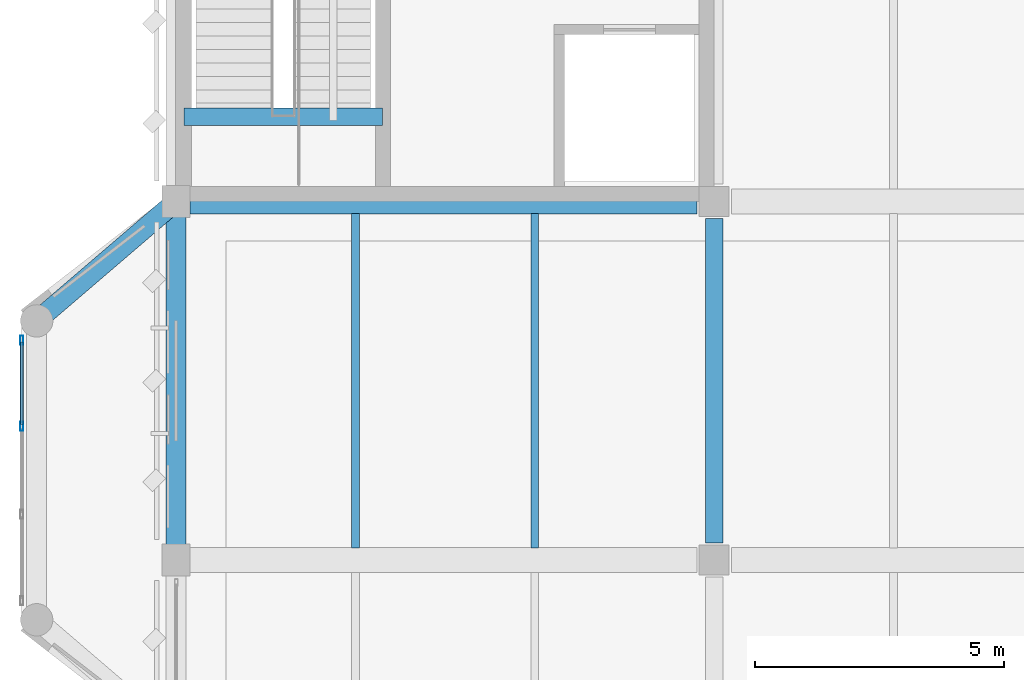
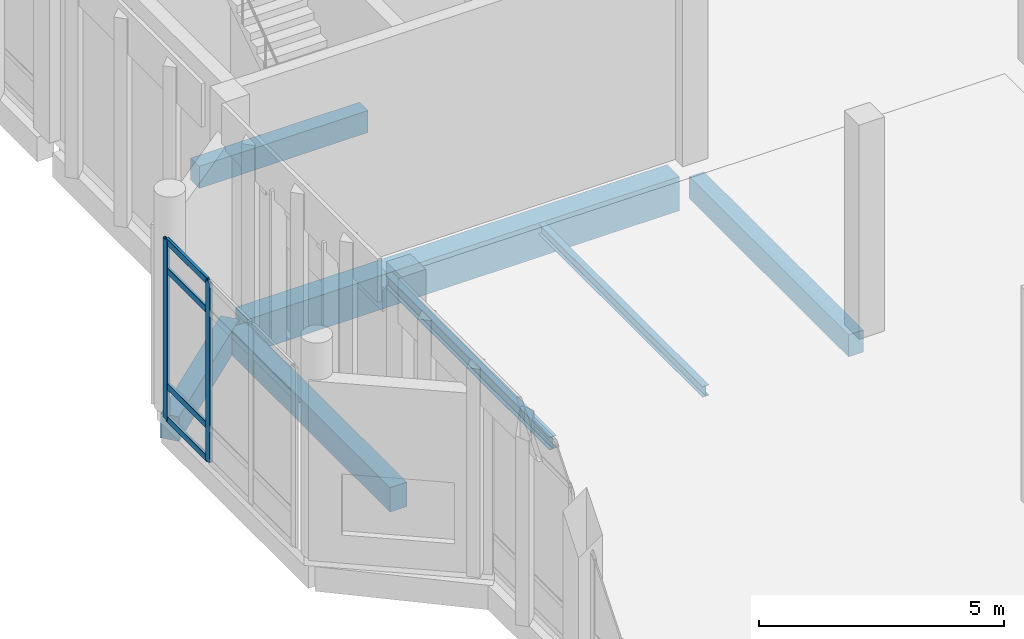
# One storey, part 52 of 180: 7 beams, 6 members, 1 element without a shape of its own.
"""IFC4 building model written with IfcOpenShell, lengths in metres."""

import ifcopenshell
import ifcopenshell.guid

model = None  # the IFC model being written
_history = None  # IfcOwnerHistory: only IFC2X3 demands one
_inside = {}  # id of a spatial element -> (the spatial element, [elements in it])
_under = {}  # id of a project, library or spatial element -> (it, [spatial elements below it])
_declared = {}  # id of a project -> (the project, [libraries it declares])
_typed = {}  # id of a type object -> (the type object, [elements of that type])
_made_of = {}  # id of a material, layer set ... -> (it, [elements and type objects made of it])


def new_model(schema):
    """Start an empty IFC model of exactly this schema.

    Asked for "IFC4X3", IfcOpenShell would pick the latest addendum, in which some entities
    have other attributes; the version numbers below select the first issue.
    IFC2X3 requires an IfcOwnerHistory on every rooted entity: one is made here for all.
    """
    global model, _history
    if schema == "IFC4X3":
        model = ifcopenshell.file(schema_version=(4, 3, 0, 0))
    else:
        model = ifcopenshell.file(schema=schema)
    _inside.clear()
    _under.clear()
    _declared.clear()
    _typed.clear()
    _made_of.clear()
    _history = None
    if model.schema == "IFC2X3":
        org = make("IfcOrganization", Name="unknown")
        user = make(
            "IfcPersonAndOrganization",
            ThePerson=make("IfcPerson", FamilyName="unknown"),
            TheOrganization=org,
        )
        app = make(
            "IfcApplication",
            ApplicationDeveloper=org,
            Version="unknown",
            ApplicationFullName="unknown",
            ApplicationIdentifier="unknown",
        )
        _history = make(
            "IfcOwnerHistory",
            OwningUser=user,
            OwningApplication=app,
            ChangeAction="ADDED",
            CreationDate=0,
        )
    return model


def make(cls, **values):
    """One entity of the class cls with the attributes given. An attribute that is None is left unset."""
    return model.create_entity(
        cls, **{name: value for name, value in values.items() if value is not None}
    )


def rooted(cls, **values):
    """An entity with a GlobalId (a new one), such as an element, a storey or a relation."""
    return make(cls, GlobalId=ifcopenshell.guid.new(), OwnerHistory=_history, **values)


def si_unit(unit_type, name, prefix=None):
    """IfcSIUnit, for example si_unit("LENGTHUNIT", "METRE", prefix="MILLI")."""
    return make("IfcSIUnit", UnitType=unit_type, Prefix=prefix, Name=name)


def assignment(units):
    """IfcUnitAssignment: the units of a project."""
    return None if units is None else make("IfcUnitAssignment", Units=units)


def point(xyz):
    """IfcCartesianPoint."""
    return None if xyz is None else make("IfcCartesianPoint", Coordinates=xyz)


def direction(xyz):
    """IfcDirection."""
    return None if xyz is None else make("IfcDirection", DirectionRatios=xyz)


def frame(location, z_axis=None, x_axis=None):
    """IfcAxis2Placement3D, a coordinate frame: its origin and axes. An axis left out is left unset."""
    return make(
        "IfcAxis2Placement3D",
        Location=point(location),
        Axis=direction(z_axis),
        RefDirection=direction(x_axis),
    )


def frame_2d(location, x_axis=None):
    """IfcAxis2Placement2D, a coordinate frame in the plane: its origin and x axis."""
    return make(
        "IfcAxis2Placement2D", Location=point(location), RefDirection=direction(x_axis)
    )


def origin():
    """The frame at (0, 0, 0) with its axes left unset."""
    return frame((0.0, 0.0, 0.0))


def origin_2d():
    """The frame at (0, 0) in the plane with its x axis left unset."""
    return frame_2d((0.0, 0.0))


def place(relative_to, where):
    """IfcLocalPlacement: puts the frame where relative to a parent placement (None: the world)."""
    return make(
        "IfcLocalPlacement", PlacementRelTo=relative_to, RelativePlacement=where
    )


def context(
    kind, dimensions, precision=None, world=None, true_north=None, identifier=None
):
    """IfcGeometricRepresentationContext, for example the 3D "Model" context."""
    return make(
        "IfcGeometricRepresentationContext",
        ContextIdentifier=identifier,
        ContextType=kind,
        CoordinateSpaceDimension=dimensions,
        Precision=precision,
        WorldCoordinateSystem=world,
        TrueNorth=true_north,
    )


def subcontext(parent, identifier, kind, view, scale=None):
    """IfcGeometricRepresentationSubContext, for example "Body" below "Model"."""
    return make(
        "IfcGeometricRepresentationSubContext",
        ContextIdentifier=identifier,
        ContextType=kind,
        ParentContext=parent,
        TargetScale=scale,
        TargetView=view,
    )


def project(units=None, contexts=None):
    """IfcProject with its units and contexts."""
    return rooted(
        "IfcProject",
        Name="project",
        RepresentationContexts=contexts,
        UnitsInContext=assignment(units),
    )


def spatial(cls, under=None, at=None, **own):
    """A site, building, storey or space (cls), placed at a placement, below another one or the project."""
    s = rooted(cls, ObjectPlacement=at, **own)
    if under is not None:
        _under.setdefault(under.id(), (under, []))[1].append(s)
    return s


def profile(cls, at=None, kind="AREA", **sizes):
    """A parametric profile (cls). Its sizes go by their IFC names, for example OverallWidth=200.0."""
    return make(cls, ProfileType=kind, Position=at, **sizes)


def rectangle(**sizes):
    """IfcRectangleProfileDef."""
    return profile("IfcRectangleProfileDef", **sizes)


def hollow_rectangle(**sizes):
    """IfcRectangleHollowProfileDef."""
    return profile("IfcRectangleHollowProfileDef", **sizes)


def i_section(**sizes):
    """IfcIShapeProfileDef."""
    return profile("IfcIShapeProfileDef", **sizes)


def extrude(swept, where, along, depth):
    """IfcExtrudedAreaSolid: the profile swept, set in the frame where, extruded along a direction by depth."""
    return make(
        "IfcExtrudedAreaSolid",
        SweptArea=swept,
        Position=where,
        ExtrudedDirection=direction(along),
        Depth=depth,
    )


def shape(context_of_items, identifier, shape_type, items):
    """IfcShapeRepresentation: the items that make up one representation, for example the "Body"."""
    return make(
        "IfcShapeRepresentation",
        ContextOfItems=context_of_items,
        RepresentationIdentifier=identifier,
        RepresentationType=shape_type,
        Items=items,
    )


def material(Name=None, Category=None):
    """IfcMaterial."""
    return make("IfcMaterial", Name=Name, Category=Category)


def material_profile(
    of_material, cross_section, Name=None, Category=None, Priority=None
):
    """IfcMaterialProfile: a cross section and its material."""
    return make(
        "IfcMaterialProfile",
        Name=Name,
        Material=of_material,
        Profile=cross_section,
        Priority=Priority,
        Category=Category,
    )


def profile_set(profiles, Name=None, composite=None):
    """IfcMaterialProfileSet."""
    return make(
        "IfcMaterialProfileSet",
        Name=Name,
        MaterialProfiles=profiles,
        CompositeProfile=composite,
    )


def made_of(thing, what):
    """Note that an element or type object is made of a material, layer set ...; save() writes the relation."""
    if what is not None:
        _made_of.setdefault(what.id(), (what, []))[1].append(thing)
    return thing


def type_object(cls, material=None, **own):
    """A type object (cls), such as IfcWallType, which elements share."""
    return made_of(rooted(cls, **own), material)


def element(
    cls,
    number,
    at=None,
    inside=None,
    cuts=None,
    type_object=None,
    material=None,
    context=None,
    identifier="Body",
    shape_type=None,
    held_by="IfcProductDefinitionShape",
    body=None,
    shapes=None,
    **own,
):
    """One element of the class cls, such as IfcWall. Its Tag is "e" and its number.

    at: its placement. inside: the storey or other place that contains it. cuts: it is an
    opening in that element (IfcRelVoidsElement). A single representation is given by context,
    identifier, shape_type and body (its items); several are given by shapes. held_by: the class
    of the entity that holds the representations. save() writes the other relations.
    """
    e = rooted(cls, Tag="e%d" % number, ObjectPlacement=at, **own)
    if body is not None:
        shapes = [shape(context, identifier, shape_type, body)]
    if shapes is not None:
        e.Representation = make(held_by, Representations=shapes)
    if inside is not None:
        _inside.setdefault(inside.id(), (inside, []))[1].append(e)
    if cuts is not None:
        rooted(
            "IfcRelVoidsElement", RelatingBuildingElement=cuts, RelatedOpeningElement=e
        )
    if type_object is not None:
        _typed.setdefault(type_object.id(), (type_object, []))[1].append(e)
    return made_of(e, material)


def aggregate(whole, parts):
    """IfcRelAggregates: a whole, such as a stair, and the parts it consists of."""
    return rooted("IfcRelAggregates", RelatingObject=whole, RelatedObjects=parts)


def save(model, path):
    """Write the relations noted so far, then the file.

    IfcRelAggregates (storeys below a building ...), IfcRelContainedInSpatialStructure (elements
    in a storey), IfcRelDefinesByType, IfcRelAssociatesMaterial and IfcRelDeclares: one each for
    every whole, place, type object, material and project.
    """
    for whole, parts in _under.values():
        aggregate(whole, parts)
    for where, things in _inside.values():
        rooted(
            "IfcRelContainedInSpatialStructure",
            RelatedElements=things,
            RelatingStructure=where,
        )
    for kind, things in _typed.values():
        rooted("IfcRelDefinesByType", RelatedObjects=things, RelatingType=kind)
    for what, things in _made_of.values():
        rooted("IfcRelAssociatesMaterial", RelatedObjects=things, RelatingMaterial=what)
    for by, libraries in _declared.values():
        rooted("IfcRelDeclares", RelatingContext=by, RelatedDefinitions=libraries)
    model.write(path)


model = new_model("IFC4")

# Units and contexts
model_context = context("Model", 3, precision=1e-05, world=origin(), true_north=direction((0.0, 1.0)))
body_context = subcontext(model_context, "Body", "Model", "MODEL_VIEW")
ifc_project = project(units=[si_unit("LENGTHUNIT", "METRE"), si_unit("AREAUNIT", "SQUARE_METRE"), si_unit("VOLUMEUNIT", "CUBIC_METRE"), si_unit("PLANEANGLEUNIT", "RADIAN"), si_unit("MASSUNIT", "GRAM", prefix="KILO")], contexts=[model_context])

# Site, building, storey
site_placement = place(None, origin())
site = spatial("IfcSite", under=ifc_project, at=site_placement, CompositionType="ELEMENT")
building_placement = place(site_placement, origin())
building = spatial("IfcBuilding", under=site, at=building_placement, Name="Lusvemor Sports Hall", CompositionType="ELEMENT")
storey_placement = place(building_placement, frame((0.0, 0.0, 5.39990234375)))
storey = spatial("IfcBuildingStorey", under=building, at=storey_placement, Name="L01", CompositionType="ELEMENT", Elevation=5.39990234375)

# Beams
ifc_material_1 = material(Name="Concrete C40/50", Category="concrete")
ifc_material_profile_1 = material_profile(ifc_material_1, rectangle(XDim=0.35009765625, YDim=0.550048828125, at=origin_2d()), Name="RC350x550")
ifc_profile_set_1 = profile_set([ifc_material_profile_1], Name="Concrete C40/50")
beam_type_1 = type_object("IfcBeamType", Name="BEAM_RC_550", PredefinedType="BEAM", material=ifc_profile_set_1)
beam_1_placement = place(storey_placement, frame((10.800048828125, 61.5458984375, -0.534912109375), z_axis=(0.0, 1.0, 0.0), x_axis=(-1.0, 0.0, 0.0)))
element("IfcBeam", 1, at=beam_1_placement, inside=storey, type_object=beam_type_1, Name="Beam L01 2:H-J", PredefinedType="BEAM", context=body_context, shape_type="SweptSolid", body=[
    extrude(rectangle(XDim=0.35009765625, YDim=0.550048828125, at=origin_2d()), origin(), (0.0, 0.0, 1.0), 6.508056640625),
])
beam_2_placement = place(storey_placement, frame((0.159912109375, 70.10009765625, 2.2451171875), z_axis=(1.0, 0.0, 0.0), x_axis=(0.0, 1.0, 0.0)))
element("IfcBeam", 2, at=beam_2_placement, inside=storey, type_object=beam_type_1, Name="Stair STR-C3-L01 Mid-Landing Beam", PredefinedType="BEAM", context=body_context, shape_type="SweptSolid", body=[
    extrude(rectangle(XDim=0.35009765625, YDim=0.550048828125, at=origin_2d()), origin(), (0.0, 0.0, 1.0), 3.97998046875),
])

# Curtain wall, members
ifc_material_2 = material(Name="Thermally broken bronze-anodized aluminium", Category="aluminium")
curtain_wall_type = type_object("IfcCurtainWallType", Name="CW_FOYER_A", PredefinedType="NOTDEFINED", material=ifc_material_2)
curtain_wall_placement = place(storey_placement, origin())
curtain_wall = element("IfcCurtainWall", 3, at=curtain_wall_placement, inside=storey, type_object=curtain_wall_type, Name="Curtain Wall CW-BOW-W1-L01-M", PredefinedType="NOTDEFINED")
ifc_material_3 = material(Name="Thermally broken bronze-anodized aluminium", Category="aluminium")
ifc_material_profile_2 = material_profile(ifc_material_3, hollow_rectangle(XDim=0.070068359375, YDim=0.179931640625, WallThickness=0.0048828125, InnerFilletRadius=0.0048828125, OuterFilletRadius=0.010009765625, at=origin_2d()), Name="CWMUL180x70x5")
ifc_profile_set_2 = profile_set([ifc_material_profile_2], Name="Thermally broken bronze-anodized aluminium")
member_type_1 = type_object("IfcMemberType", Name="CW_MUL_A", PredefinedType="MULLION", material=ifc_profile_set_2)
member_1_placement = place(storey_placement, frame((-3.10009765625, 63.88330078125, 0.0), z_axis=(0.0, 0.0, 1.0), x_axis=(-1.0, 0.0, 0.0)))
member_1 = element("IfcMember", 4, at=member_1_placement, type_object=member_type_1, Name="CW01 mullion 3", PredefinedType="MULLION", context=body_context, shape_type="SweptSolid", body=[
    extrude(hollow_rectangle(XDim=0.070068359375, YDim=0.179931640625, WallThickness=0.0048828125, InnerFilletRadius=0.0048828125, OuterFilletRadius=0.010009765625, at=origin_2d()), origin(), (0.0, 0.0, 1.0), 4.47998046875),
])
member_2_placement = place(storey_placement, frame((-3.10009765625, 65.614990234375, 0.0), z_axis=(0.0, 0.0, 1.0), x_axis=(-1.0, 0.0, 0.0)))
member_2 = element("IfcMember", 5, at=member_2_placement, type_object=member_type_1, Name="CW01 mullion 4", PredefinedType="MULLION", context=body_context, shape_type="SweptSolid", body=[
    extrude(hollow_rectangle(XDim=0.070068359375, YDim=0.179931640625, WallThickness=0.0048828125, InnerFilletRadius=0.0048828125, OuterFilletRadius=0.010009765625, at=origin_2d()), origin(), (0.0, 0.0, 1.0), 4.47998046875),
])
ifc_material_4 = material(Name="Thermally broken bronze-anodized aluminium", Category="aluminium")
ifc_material_profile_3 = material_profile(ifc_material_4, hollow_rectangle(XDim=0.06494140625, YDim=0.159912109375, WallThickness=0.00390625, InnerFilletRadius=0.00390625, OuterFilletRadius=0.008056640625, at=origin_2d()), Name="CWTRN160x65x4")
ifc_profile_set_3 = profile_set([ifc_material_profile_3], Name="Thermally broken bronze-anodized aluminium")
member_type_2 = type_object("IfcMemberType", Name="CW_TRN_A", PredefinedType="USERDEFINED", material=ifc_profile_set_3)
member_3_placement = place(storey_placement, frame((-3.10009765625, 63.918212890625, 0.03271484375), z_axis=(0.0, 1.0, 0.0), x_axis=(-1.0, 0.0, 0.0)))
member_3 = element("IfcMember", 6, at=member_3_placement, type_object=member_type_2, Name="CW01 transom 3.1", ObjectType="TRANSOM", PredefinedType="USERDEFINED", context=body_context, shape_type="SweptSolid", body=[
    extrude(hollow_rectangle(XDim=0.06494140625, YDim=0.159912109375, WallThickness=0.00390625, InnerFilletRadius=0.00390625, OuterFilletRadius=0.008056640625, at=origin_2d()), origin(), (0.0, 0.0, 1.0), 1.661865234375),
])
member_4_placement = place(storey_placement, frame((-3.10009765625, 63.918212890625, 0.85009765625), z_axis=(0.0, 1.0, 0.0), x_axis=(-1.0, 0.0, 0.0)))
member_4 = element("IfcMember", 7, at=member_4_placement, type_object=member_type_2, Name="CW01 transom 3.2", ObjectType="TRANSOM", PredefinedType="USERDEFINED", context=body_context, shape_type="SweptSolid", body=[
    extrude(hollow_rectangle(XDim=0.06494140625, YDim=0.159912109375, WallThickness=0.00390625, InnerFilletRadius=0.00390625, OuterFilletRadius=0.008056640625, at=origin_2d()), origin(), (0.0, 0.0, 1.0), 1.661865234375),
])
member_5_placement = place(storey_placement, frame((-3.10009765625, 63.918212890625, 3.72998046875), z_axis=(0.0, 1.0, 0.0), x_axis=(-1.0, 0.0, 0.0)))
member_5 = element("IfcMember", 8, at=member_5_placement, type_object=member_type_2, Name="CW01 transom 3.3", ObjectType="TRANSOM", PredefinedType="USERDEFINED", context=body_context, shape_type="SweptSolid", body=[
    extrude(hollow_rectangle(XDim=0.06494140625, YDim=0.159912109375, WallThickness=0.00390625, InnerFilletRadius=0.00390625, OuterFilletRadius=0.008056640625, at=origin_2d()), origin(), (0.0, 0.0, 1.0), 1.661865234375),
])
member_6_placement = place(storey_placement, frame((-3.10009765625, 63.918212890625, 4.447509765625), z_axis=(0.0, 1.0, 0.0), x_axis=(-1.0, 0.0, 0.0)))
member_6 = element("IfcMember", 9, at=member_6_placement, type_object=member_type_2, Name="CW01 transom 3.4", ObjectType="TRANSOM", PredefinedType="USERDEFINED", context=body_context, shape_type="SweptSolid", body=[
    extrude(hollow_rectangle(XDim=0.06494140625, YDim=0.159912109375, WallThickness=0.00390625, InnerFilletRadius=0.00390625, OuterFilletRadius=0.008056640625, at=origin_2d()), origin(), (0.0, 0.0, 1.0), 1.661865234375),
])
aggregate(curtain_wall, [member_1, member_2, member_3, member_4, member_5, member_6])

# Beams
ifc_material_5 = material(Name="Concrete C40/50", Category="concrete")
ifc_material_profile_4 = material_profile(ifc_material_5, rectangle(XDim=0.5, YDim=0.85009765625, at=origin_2d()), Name="RC500x850")
ifc_profile_set_4 = profile_set([ifc_material_profile_4], Name="Concrete C40/50")
beam_type_2 = type_object("IfcBeamType", Name="GIRD_RC_850", PredefinedType="T_BEAM", material=ifc_profile_set_4)
beam_3_placement = place(storey_placement, frame((0.27587890625, 68.39990234375, -0.684814453125), z_axis=(1.0, 0.0, 0.0), x_axis=(0.0, 1.0, 0.0)))
element("IfcBeam", 10, at=beam_3_placement, inside=storey, type_object=beam_type_2, Name="Beam L01 J:1-2", PredefinedType="T_BEAM", context=body_context, shape_type="SweptSolid", body=[
    extrude(rectangle(XDim=0.5, YDim=0.85009765625, at=origin_2d()), origin(), (0.0, 0.0, 1.0), 10.17822265625),
])
ifc_material_6 = material(Name="Steel S355", Category="steel")
ifc_material_profile_5 = material_profile(ifc_material_6, i_section(OverallWidth=0.14794921875, OverallDepth=0.26611328125, WebThickness=0.007568359375, FlangeThickness=0.012939453125, FilletRadius=0.012939453125, at=origin_2d()), Name="W250x44.8")
ifc_profile_set_5 = profile_set([ifc_material_profile_5], Name="Steel S355")
beam_type_3 = type_object("IfcBeamType", Name="JOIST_ST_250M", PredefinedType="JOIST", material=ifc_profile_set_5)
beam_4_placement = place(storey_placement, frame((7.199951171875, 61.446044921875, -0.39697265625), z_axis=(0.0, 1.0, 0.0), x_axis=(-1.0, 0.0, 0.0)))
element("IfcBeam", 11, at=beam_4_placement, inside=storey, type_object=beam_type_3, Name="Secondary Joist L01 1-2/H-J #2", PredefinedType="JOIST", context=body_context, shape_type="SweptSolid", body=[
    extrude(i_section(OverallWidth=0.14794921875, OverallDepth=0.26611328125, WebThickness=0.007568359375, FlangeThickness=0.012939453125, FilletRadius=0.012939453125, at=origin_2d()), origin(), (0.0, 0.0, 1.0), 6.7080078125),
])
ifc_material_7 = material(Name="Steel S355", Category="steel")
ifc_material_profile_6 = material_profile(ifc_material_7, i_section(OverallWidth=0.1669921875, OverallDepth=0.31689453125, WebThickness=0.007568359375, FlangeThickness=0.01318359375, FilletRadius=0.014892578125, at=origin_2d()), Name="W310x52.0")
ifc_profile_set_6 = profile_set([ifc_material_profile_6], Name="Steel S355")
beam_type_4 = type_object("IfcBeamType", Name="JOIST_ST_310M", PredefinedType="JOIST", material=ifc_profile_set_6)
beam_5_placement = place(storey_placement, frame((3.60009765625, 61.446044921875, -0.42236328125), z_axis=(0.0, 1.0, 0.0), x_axis=(-1.0, 0.0, 0.0)))
element("IfcBeam", 12, at=beam_5_placement, inside=storey, type_object=beam_type_4, Name="Secondary Joist L01 1-2/H-J #1", PredefinedType="JOIST", context=body_context, shape_type="SweptSolid", body=[
    extrude(i_section(OverallWidth=0.1669921875, OverallDepth=0.31689453125, WebThickness=0.007568359375, FlangeThickness=0.01318359375, FilletRadius=0.014892578125, at=origin_2d()), origin(), (0.0, 0.0, 1.0), 6.7080078125),
])
ifc_material_8 = material(Name="Concrete C40/50", Category="concrete")
ifc_material_profile_7 = material_profile(ifc_material_8, rectangle(XDim=0.39990234375, YDim=0.610107421875, at=origin_2d()), Name="RC400x610")
ifc_profile_set_7 = profile_set([ifc_material_profile_7], Name="Concrete C40/50")
beam_type_5 = type_object("IfcBeamType", Name="SPAND_EXT_650", PredefinedType="SPANDREL", material=ifc_profile_set_7)
beam_6_placement = place(storey_placement, frame((0.0, 61.51611328125, -0.56494140625), z_axis=(0.0, 1.0, 0.0), x_axis=(-1.0, 0.0, 0.0)))
element("IfcBeam", 13, at=beam_6_placement, inside=storey, type_object=beam_type_5, Name="Beam L01 1:H-J", PredefinedType="SPANDREL", context=body_context, shape_type="SweptSolid", body=[
    extrude(rectangle(XDim=0.39990234375, YDim=0.610107421875, at=origin_2d()), origin(), (0.0, 0.0, 1.0), 6.56787109375),
])
beam_7_placement = place(storey_placement, frame((-2.800048828125, 66.0, -0.56494140625), z_axis=(0.759275294494, 0.650769565339, 0.0), x_axis=(-0.650769565339, 0.759275294494, 0.0)))
element("IfcBeam", 14, at=beam_7_placement, inside=storey, type_object=beam_type_5, Name="Bow Pavilion Edge Beam BOW-W1 L01-3", PredefinedType="SPANDREL", context=body_context, shape_type="SweptSolid", body=[
    extrude(rectangle(XDim=0.39990234375, YDim=0.610107421875, at=origin_2d()), origin(), (0.0, 0.0, 1.0), 3.687744140625),
])

save(model, "model.ifc")
